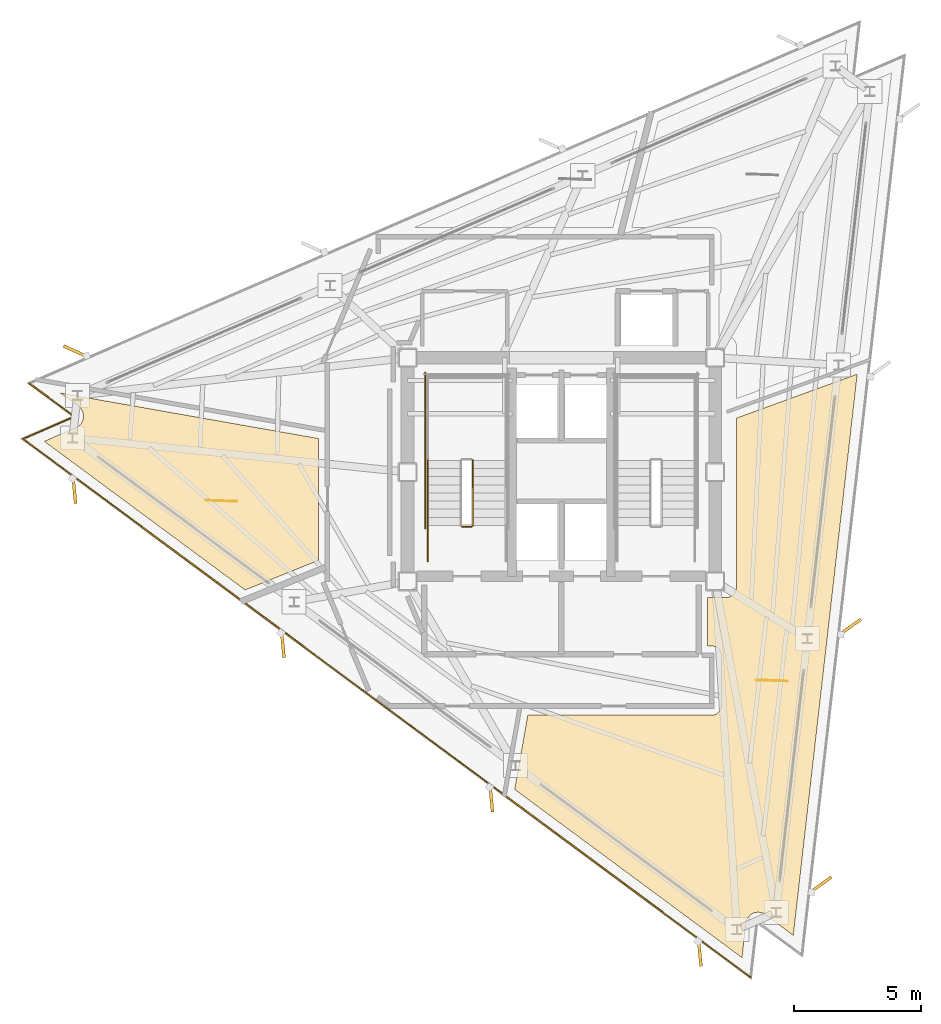
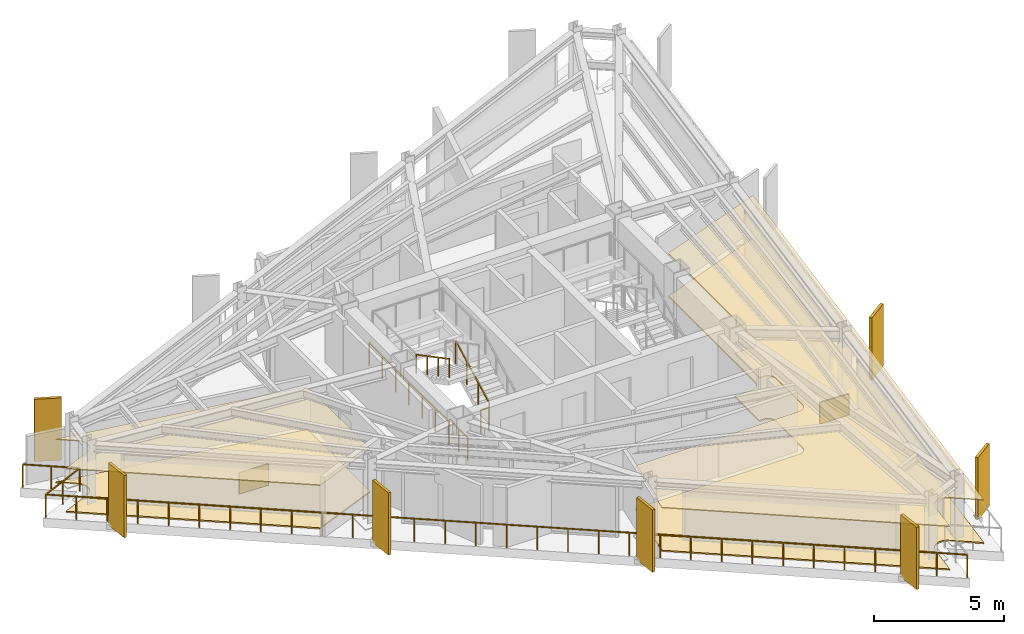
# One storey, part 8 of 10: 7 shading devices, 6 coverings, 6 railings.
"""IFC4 building model written with IfcOpenShell, lengths in metres."""

from ifc_helpers import new_model, si_unit, direction, frame, origin, origin_2d, place, context, subcontext, project, spatial, polyline, rectangle, outline, extrude, material, layer, layer_set, type_object, element, save


model = new_model("IFC4")

# Units and contexts
model_context = context("Model", 3, precision=1e-05, world=origin(), true_north=direction((0.0, 1.0)))
body_context = subcontext(model_context, "Body", "Model", "MODEL_VIEW")
ifc_project = project(units=[si_unit("LENGTHUNIT", "METRE"), si_unit("AREAUNIT", "SQUARE_METRE"), si_unit("VOLUMEUNIT", "CUBIC_METRE"), si_unit("PLANEANGLEUNIT", "RADIAN"), si_unit("MASSUNIT", "GRAM", prefix="KILO")], contexts=[model_context])

# Site, building, storey
site_placement = place(None, origin())
site = spatial("IfcSite", under=ifc_project, at=site_placement, CompositionType="ELEMENT")
building_placement = place(site_placement, origin())
building = spatial("IfcBuilding", under=site, at=building_placement, Name="Rocaltana Carrier Exchange", CompositionType="ELEMENT")
storey_placement = place(building_placement, frame((0.0, 0.0, 214.8798828125)))
storey = spatial("IfcBuildingStorey", under=building, at=storey_placement, Name="L68", CompositionType="ELEMENT", Elevation=214.8798828125)

# Coverings
ifc_material_1 = material(Name="Calcium Sulphate & Aluminium Pedestal", Category="aluminium")
ifc_layer_1 = layer(ifc_material_1, 0.06005859375)
ifc_layer_set_1 = layer_set([ifc_layer_1], Name="Calcium Sulphate & Aluminium Pedestal")
covering_type_1 = type_object("IfcCoveringType", Name="Anti-Static Raised Exchange Access Floor 60", PredefinedType="FLOORING", material=ifc_layer_set_1)
covering_1_placement = place(storey_placement, origin())
element("IfcCovering", 1, at=covering_1_placement, inside=storey, type_object=covering_type_1, Name="L68 Network Engineering Studio Finish Floor", PredefinedType="FLOORING", context=body_context, shape_type="SweptSolid", body=[
    extrude(outline(polyline([(-19.699951171875, 3.108154296875), (-9.56005859375, 1.320068359375), (-9.56005859375, -3.47412109375), (-12.436767578125, -4.636474609375), (-20.337890625, 1.210205078125), (-19.0830078125, 1.755859375), (-19.0703125, 1.76171875), (-19.052490234375, 1.7705078125), (-19.028076171875, 1.7841796875), (-19.010986328125, 1.794921875), (-18.98828125, 1.810791015625), (-18.972412109375, 1.822998046875), (-18.951416015625, 1.841064453125), (-18.936767578125, 1.85498046875), (-18.91748046875, 1.875), (-18.904541015625, 1.89013671875), (-18.887451171875, 1.912109375), (-18.8759765625, 1.928466796875), (-18.861083984375, 1.9521484375), (-18.851318359375, 1.969482421875), (-18.8388671875, 1.994384765625), (-18.830810546875, 2.0126953125), (-18.82080078125, 2.038818359375), (-18.814697265625, 2.057861328125), (-18.8076171875, 2.084716796875), (-18.80322265625, 2.104248046875), (-18.798828125, 2.1318359375), (-18.79638671875, 2.151611328125), (-18.794677734375, 2.179443359375), (-18.79443359375, 2.199462890625), (-18.79541015625, 2.227294921875), (-18.797119140625, 2.2470703125), (-18.801025390625, 2.27490234375), (-18.8046875, 2.29443359375), (-18.811279296875, 2.321533203125), (-18.81689453125, 2.3408203125), (-18.825927734375, 2.366943359375), (-18.83349609375, 2.385498046875), (-18.84521484375, 2.410888671875), (-18.8544921875, 2.428466796875), (-18.86865234375, 2.452392578125), (-18.879638671875, 2.468994140625), (-18.896240234375, 2.49169921875), (-18.908935546875, 2.507080078125), (-18.927490234375, 2.52783203125), (-18.941650390625, 2.5419921875), (-18.96240234375, 2.560546875), (-18.977783203125, 2.5732421875), (-18.98876953125, 2.581787109375), (-19.699951171875, 3.108154296875)])), origin(), (0.0, 0.0, 1.0), 0.06005859375),
])
covering_2_placement = place(storey_placement, origin())
element("IfcCovering", 2, at=covering_2_placement, inside=storey, type_object=covering_type_1, Name="L68 Peering Conference Room Finish Floor", PredefinedType="FLOORING", context=body_context, shape_type="SweptSolid", body=[
    extrude(outline(polyline([(5.739990234375, -6.840087890625), (5.739990234375, -4.93994140625), (6.449951171875, -4.93994140625), (6.463623046875, -4.939697265625), (6.4794921875, -4.93896484375), (6.5068359375, -4.936279296875), (6.522216796875, -4.933837890625), (6.54931640625, -4.928466796875), (6.564453125, -4.9248046875), (6.5908203125, -4.916748046875), (6.605712890625, -4.91162109375), (6.630859375, -4.90087890625), (6.64501953125, -4.894287109375), (6.66943359375, -4.88134765625), (6.682861328125, -4.873291015625), (6.705810546875, -4.85791015625), (6.71826171875, -4.8486328125), (6.739501953125, -4.8310546875), (6.751220703125, -4.820556640625), (6.7705078125, -4.80126953125), (6.781005859375, -4.78955078125), (6.798583984375, -4.768310546875), (6.807861328125, -4.755615234375), (6.8232421875, -4.73291015625), (6.831298828125, -4.719482421875), (6.84423828125, -4.695068359375), (6.850830078125, -4.680908203125), (6.861572265625, -4.655517578125), (6.86669921875, -4.640869140625), (6.874755859375, -4.614501953125), (6.87841796875, -4.59912109375), (6.8837890625, -4.572265625), (6.88623046875, -4.556884765625), (6.888916015625, -4.529296875), (6.8896484375, -4.513671875), (6.889892578125, -4.5), (6.889892578125, 2.124755859375), (11.635498046875, 3.851806640625), (9.12109375, -18.21826171875), (8.020751953125, -17.404052734375), (8.009521484375, -17.39599609375), (7.992919921875, -17.385009765625), (7.96875, -17.370849609375), (7.951171875, -17.361572265625), (7.92578125, -17.349609375), (7.907470703125, -17.342041015625), (7.881103515625, -17.332763671875), (7.862060546875, -17.3271484375), (7.8349609375, -17.320556640625), (7.815185546875, -17.31689453125), (7.78759765625, -17.31298828125), (7.767822265625, -17.311279296875), (7.739990234375, -17.310302734375), (7.719970703125, -17.310302734375), (7.692138671875, -17.31201171875), (7.67236328125, -17.314208984375), (7.644775390625, -17.31884765625), (7.625244140625, -17.322998046875), (7.59814453125, -17.330078125), (7.579345703125, -17.336181640625), (7.552978515625, -17.34619140625), (7.534912109375, -17.35400390625), (7.509765625, -17.366455078125), (7.492431640625, -17.376220703125), (7.46875, -17.39111328125), (7.452392578125, -17.40234375), (7.430419921875, -17.41943359375), (7.415283203125, -17.4326171875), (7.39501953125, -17.45166015625), (7.381103515625, -17.466064453125), (7.363037109375, -17.4873046875), (7.3505859375, -17.5029296875), (7.334716796875, -17.52587890625), (7.32421875, -17.542724609375), (7.310302734375, -17.56689453125), (7.301513671875, -17.5849609375), (7.290283203125, -17.6103515625), (7.283203125, -17.629150390625), (7.274658203125, -17.655517578125), (7.26953125, -17.6748046875), (7.263671875, -17.7021484375), (7.26025390625, -17.7216796875), (7.25830078125, -17.735595703125), (7.103515625, -19.095458984375), (-1.835205078125, -12.481201171875), (-1.320068359375, -9.56005859375), (5.919921875, -9.56005859375), (5.93359375, -9.559814453125), (5.941650390625, -9.559326171875), (5.968994140625, -9.556640625), (5.976806640625, -9.555419921875), (6.003662109375, -9.550048828125), (6.01123046875, -9.548095703125), (6.03759765625, -9.540283203125), (6.044921875, -9.53759765625), (6.0703125, -9.527099609375), (6.077392578125, -9.523681640625), (6.101806640625, -9.5107421875), (6.1083984375, -9.506591796875), (6.131103515625, -9.491455078125), (6.137451171875, -9.48681640625), (6.15869140625, -9.46923828125), (6.16455078125, -9.464111328125), (6.18408203125, -9.444580078125), (6.189208984375, -9.438720703125), (6.206787109375, -9.41748046875), (6.21142578125, -9.4111328125), (6.226806640625, -9.388427734375), (6.230712890625, -9.381591796875), (6.24365234375, -9.357421875), (6.2470703125, -9.350341796875), (6.257568359375, -9.324951171875), (6.26025390625, -9.317626953125), (6.268310546875, -9.291259765625), (6.27001953125, -9.28369140625), (6.275390625, -9.256591796875), (6.276611328125, -9.248779296875), (6.279296875, -9.2216796875), (6.27978515625, -9.213623046875), (6.280029296875, -9.199951171875), (6.280029296875, -7.199951171875), (6.27978515625, -7.186279296875), (6.279296875, -7.178466796875), (6.276611328125, -7.151123046875), (6.275390625, -7.143310546875), (6.27001953125, -7.116455078125), (6.268310546875, -7.108642578125), (6.26025390625, -7.08251953125), (6.257568359375, -7.0751953125), (6.2470703125, -7.0498046875), (6.24365234375, -7.04248046875), (6.230712890625, -7.018310546875), (6.226806640625, -7.01171875), (6.21142578125, -6.98876953125), (6.206787109375, -6.982421875), (6.189208984375, -6.961181640625), (6.18408203125, -6.955322265625), (6.16455078125, -6.93603515625), (6.15869140625, -6.9306640625), (6.137451171875, -6.913330078125), (6.131103515625, -6.90869140625), (6.1083984375, -6.893310546875), (6.101806640625, -6.889404296875), (6.077392578125, -6.876220703125), (6.0703125, -6.873046875), (6.044921875, -6.862548828125), (6.03759765625, -6.85986328125), (6.01123046875, -6.851806640625), (6.003662109375, -6.849853515625), (5.976806640625, -6.844482421875), (5.968994140625, -6.843505859375), (5.941650390625, -6.8408203125), (5.93359375, -6.84033203125), (5.919921875, -6.840087890625), (5.739990234375, -6.840087890625)])), origin(), (0.0, 0.0, 1.0), 0.06005859375),
])
ifc_material_2 = material(Name="Mineral Fibre & Powder-Coated Aluminium", Category="aluminium")
ifc_layer_2 = layer(ifc_material_2, 0.044921875)
ifc_layer_set_2 = layer_set([ifc_layer_2], Name="Mineral Fibre & Powder-Coated Aluminium")
covering_type_2 = type_object("IfcCoveringType", Name="Micro-Perforated Acoustic Ceiling 45", PredefinedType="CEILING", material=ifc_layer_set_2)
covering_3_placement = place(storey_placement, frame((0.0, 0.0, 2.023193359375)))
element("IfcCovering", 3, at=covering_3_placement, inside=storey, type_object=covering_type_2, Name="L68 Network Engineering Studio Acoustic Ceiling", PredefinedType="CEILING", context=body_context, shape_type="SweptSolid", body=[
    extrude(outline(polyline([(-19.699951171875, 3.108154296875), (-9.56005859375, 1.320068359375), (-9.56005859375, -3.47412109375), (-12.436767578125, -4.636474609375), (-20.337890625, 1.210205078125), (-19.0830078125, 1.755859375), (-19.0703125, 1.76171875), (-19.052490234375, 1.7705078125), (-19.028076171875, 1.7841796875), (-19.010986328125, 1.794921875), (-18.98828125, 1.810791015625), (-18.972412109375, 1.822998046875), (-18.951416015625, 1.841064453125), (-18.936767578125, 1.85498046875), (-18.91748046875, 1.875), (-18.904541015625, 1.89013671875), (-18.887451171875, 1.912109375), (-18.8759765625, 1.928466796875), (-18.861083984375, 1.9521484375), (-18.851318359375, 1.969482421875), (-18.8388671875, 1.994384765625), (-18.830810546875, 2.0126953125), (-18.82080078125, 2.038818359375), (-18.814697265625, 2.057861328125), (-18.8076171875, 2.084716796875), (-18.80322265625, 2.104248046875), (-18.798828125, 2.1318359375), (-18.79638671875, 2.151611328125), (-18.794677734375, 2.179443359375), (-18.79443359375, 2.199462890625), (-18.79541015625, 2.227294921875), (-18.797119140625, 2.2470703125), (-18.801025390625, 2.27490234375), (-18.8046875, 2.29443359375), (-18.811279296875, 2.321533203125), (-18.81689453125, 2.3408203125), (-18.825927734375, 2.366943359375), (-18.83349609375, 2.385498046875), (-18.84521484375, 2.410888671875), (-18.8544921875, 2.428466796875), (-18.86865234375, 2.452392578125), (-18.879638671875, 2.468994140625), (-18.896240234375, 2.49169921875), (-18.908935546875, 2.507080078125), (-18.927490234375, 2.52783203125), (-18.941650390625, 2.5419921875), (-18.96240234375, 2.560546875), (-18.977783203125, 2.5732421875), (-18.98876953125, 2.581787109375), (-19.699951171875, 3.108154296875)])), origin(), (0.0, 0.0, 1.0), 0.044921875),
])
covering_4_placement = place(storey_placement, frame((0.0, 0.0, 2.023193359375)))
element("IfcCovering", 4, at=covering_4_placement, inside=storey, type_object=covering_type_2, Name="L68 Peering Conference Room Acoustic Ceiling", PredefinedType="CEILING", context=body_context, shape_type="SweptSolid", body=[
    extrude(outline(polyline([(5.739990234375, -6.840087890625), (5.739990234375, -4.93994140625), (6.449951171875, -4.93994140625), (6.463623046875, -4.939697265625), (6.4794921875, -4.93896484375), (6.5068359375, -4.936279296875), (6.522216796875, -4.933837890625), (6.54931640625, -4.928466796875), (6.564453125, -4.9248046875), (6.5908203125, -4.916748046875), (6.605712890625, -4.91162109375), (6.630859375, -4.90087890625), (6.64501953125, -4.894287109375), (6.66943359375, -4.88134765625), (6.682861328125, -4.873291015625), (6.705810546875, -4.85791015625), (6.71826171875, -4.8486328125), (6.739501953125, -4.8310546875), (6.751220703125, -4.820556640625), (6.7705078125, -4.80126953125), (6.781005859375, -4.78955078125), (6.798583984375, -4.768310546875), (6.807861328125, -4.755615234375), (6.8232421875, -4.73291015625), (6.831298828125, -4.719482421875), (6.84423828125, -4.695068359375), (6.850830078125, -4.680908203125), (6.861572265625, -4.655517578125), (6.86669921875, -4.640869140625), (6.874755859375, -4.614501953125), (6.87841796875, -4.59912109375), (6.8837890625, -4.572265625), (6.88623046875, -4.556884765625), (6.888916015625, -4.529296875), (6.8896484375, -4.513671875), (6.889892578125, -4.5), (6.889892578125, 2.124755859375), (11.635498046875, 3.851806640625), (9.12109375, -18.21826171875), (8.020751953125, -17.404052734375), (8.009521484375, -17.39599609375), (7.992919921875, -17.385009765625), (7.96875, -17.370849609375), (7.951171875, -17.361572265625), (7.92578125, -17.349609375), (7.907470703125, -17.342041015625), (7.881103515625, -17.332763671875), (7.862060546875, -17.3271484375), (7.8349609375, -17.320556640625), (7.815185546875, -17.31689453125), (7.78759765625, -17.31298828125), (7.767822265625, -17.311279296875), (7.739990234375, -17.310302734375), (7.719970703125, -17.310302734375), (7.692138671875, -17.31201171875), (7.67236328125, -17.314208984375), (7.644775390625, -17.31884765625), (7.625244140625, -17.322998046875), (7.59814453125, -17.330078125), (7.579345703125, -17.336181640625), (7.552978515625, -17.34619140625), (7.534912109375, -17.35400390625), (7.509765625, -17.366455078125), (7.492431640625, -17.376220703125), (7.46875, -17.39111328125), (7.452392578125, -17.40234375), (7.430419921875, -17.41943359375), (7.415283203125, -17.4326171875), (7.39501953125, -17.45166015625), (7.381103515625, -17.466064453125), (7.363037109375, -17.4873046875), (7.3505859375, -17.5029296875), (7.334716796875, -17.52587890625), (7.32421875, -17.542724609375), (7.310302734375, -17.56689453125), (7.301513671875, -17.5849609375), (7.290283203125, -17.6103515625), (7.283203125, -17.629150390625), (7.274658203125, -17.655517578125), (7.26953125, -17.6748046875), (7.263671875, -17.7021484375), (7.26025390625, -17.7216796875), (7.25830078125, -17.735595703125), (7.103515625, -19.095458984375), (-1.835205078125, -12.481201171875), (-1.320068359375, -9.56005859375), (5.919921875, -9.56005859375), (5.93359375, -9.559814453125), (5.941650390625, -9.559326171875), (5.968994140625, -9.556640625), (5.976806640625, -9.555419921875), (6.003662109375, -9.550048828125), (6.01123046875, -9.548095703125), (6.03759765625, -9.540283203125), (6.044921875, -9.53759765625), (6.0703125, -9.527099609375), (6.077392578125, -9.523681640625), (6.101806640625, -9.5107421875), (6.1083984375, -9.506591796875), (6.131103515625, -9.491455078125), (6.137451171875, -9.48681640625), (6.15869140625, -9.46923828125), (6.16455078125, -9.464111328125), (6.18408203125, -9.444580078125), (6.189208984375, -9.438720703125), (6.206787109375, -9.41748046875), (6.21142578125, -9.4111328125), (6.226806640625, -9.388427734375), (6.230712890625, -9.381591796875), (6.24365234375, -9.357421875), (6.2470703125, -9.350341796875), (6.257568359375, -9.324951171875), (6.26025390625, -9.317626953125), (6.268310546875, -9.291259765625), (6.27001953125, -9.28369140625), (6.275390625, -9.256591796875), (6.276611328125, -9.248779296875), (6.279296875, -9.2216796875), (6.27978515625, -9.213623046875), (6.280029296875, -9.199951171875), (6.280029296875, -7.199951171875), (6.27978515625, -7.186279296875), (6.279296875, -7.178466796875), (6.276611328125, -7.151123046875), (6.275390625, -7.143310546875), (6.27001953125, -7.116455078125), (6.268310546875, -7.108642578125), (6.26025390625, -7.08251953125), (6.257568359375, -7.0751953125), (6.2470703125, -7.0498046875), (6.24365234375, -7.04248046875), (6.230712890625, -7.018310546875), (6.226806640625, -7.01171875), (6.21142578125, -6.98876953125), (6.206787109375, -6.982421875), (6.189208984375, -6.961181640625), (6.18408203125, -6.955322265625), (6.16455078125, -6.93603515625), (6.15869140625, -6.9306640625), (6.137451171875, -6.913330078125), (6.131103515625, -6.90869140625), (6.1083984375, -6.893310546875), (6.101806640625, -6.889404296875), (6.077392578125, -6.876220703125), (6.0703125, -6.873046875), (6.044921875, -6.862548828125), (6.03759765625, -6.85986328125), (6.01123046875, -6.851806640625), (6.003662109375, -6.849853515625), (5.976806640625, -6.844482421875), (5.968994140625, -6.843505859375), (5.941650390625, -6.8408203125), (5.93359375, -6.84033203125), (5.919921875, -6.840087890625), (5.739990234375, -6.840087890625)])), origin(), (0.0, 0.0, 1.0), 0.044921875),
])

# Railings
ifc_material_3 = material(Name="Brushed Architectural Stainless Tube", Category="steel")
ifc_layer_3 = layer(ifc_material_3, 0.048095703125)
ifc_layer_set_3 = layer_set([ifc_layer_3], Name="Brushed Architectural Stainless Tube")
railing_type_1 = type_object("IfcRailingType", Name="Stair Wall Handrail 920", PredefinedType="HANDRAIL", material=ifc_layer_set_3)
railing_1_placement = place(storey_placement, frame((-5.25, 0.4599609375, 1.68896484375)))
element("IfcRailing", 5, at=railing_1_placement, inside=storey, type_object=railing_type_1, Name="L68 ST-1 stair handrail 2", PredefinedType="HANDRAIL", context=body_context, shape_type="SweptSolid", body=[
    extrude(rectangle(XDim=0.048095703125, YDim=0.048095703125, at=origin_2d()), frame((0.0, 0.0, 0.8759765625), z_axis=(0.0, -0.884394423565, 0.466740295633), x_axis=(1.0, 0.0, 0.0)), (0.0, 0.0, 1.0), 2.894775390625),
    extrude(rectangle(XDim=0.0419921875, YDim=0.0419921875, at=origin_2d()), origin(), (0.0, 0.0, 1.0), 0.851806640625),
    extrude(rectangle(XDim=0.0419921875, YDim=0.0419921875, at=origin_2d()), frame((0.0, -0.853271484375, 0.450439453125)), (0.0, 0.0, 1.0), 0.851806640625),
    extrude(rectangle(XDim=0.0419921875, YDim=0.0419921875, at=origin_2d()), frame((0.0, -1.706787109375, 0.900634765625)), (0.0, 0.0, 1.0), 0.851806640625),
    extrude(rectangle(XDim=0.0419921875, YDim=0.0419921875, at=origin_2d()), frame((0.0, -2.56005859375, 1.35107421875)), (0.0, 0.0, 1.0), 0.851806640625),
])
ifc_material_4 = material(Name="Powder-Coated Aluminium 6063-T6", Category="aluminium")
ifc_layer_4 = layer(ifc_material_4, 0.048095703125)
ifc_layer_set_4 = layer_set([ifc_layer_4], Name="Powder-Coated Aluminium 6063-T6")
railing_type_2 = type_object("IfcRailingType", Name="Stair Well Guardrail 1100", PredefinedType="GUARDRAIL", material=ifc_layer_set_4)
railing_2_placement = place(storey_placement, frame((-3.489990234375, -2.10009765625, 0.1689453125)))
element("IfcRailing", 6, at=railing_2_placement, inside=storey, type_object=railing_type_2, Name="L68 ST-1 stair guard 1", PredefinedType="GUARDRAIL", context=body_context, shape_type="SweptSolid", body=[
    extrude(rectangle(XDim=0.048095703125, YDim=0.048095703125, at=origin_2d()), frame((0.0, 0.0, 1.076171875), z_axis=(0.0, 0.884394423565, 0.466740295633), x_axis=(-1.0, 0.0, 0.0)), (0.0, 0.0, 1.0), 2.894775390625),
    extrude(rectangle(XDim=0.0419921875, YDim=0.0419921875, at=origin_2d()), origin(), (0.0, 0.0, 1.0), 1.052001953125),
    extrude(rectangle(XDim=0.0419921875, YDim=0.0419921875, at=origin_2d()), frame((0.0, 0.853271484375, 0.450439453125)), (0.0, 0.0, 1.0), 1.052001953125),
    extrude(rectangle(XDim=0.0419921875, YDim=0.0419921875, at=origin_2d()), frame((0.0, 1.706787109375, 0.900634765625)), (0.0, 0.0, 1.0), 1.052001953125),
    extrude(rectangle(XDim=0.0419921875, YDim=0.0419921875, at=origin_2d()), frame((0.0, 2.56005859375, 1.35107421875)), (0.0, 0.0, 1.0), 1.052001953125),
])
railing_3_placement = place(storey_placement, frame((-3.5400390625, -2.14990234375, 0.0)))
element("IfcRailing", 7, at=railing_3_placement, inside=storey, type_object=railing_type_2, Name="L68 ST-1 stair guard 7", PredefinedType="GUARDRAIL", context=body_context, shape_type="SweptSolid", body=[
    extrude(rectangle(XDim=0.048095703125, YDim=0.048095703125, at=origin_2d()), frame((0.0, 0.0, 1.076171875), z_axis=(-1.0, 0.0, 0.0), x_axis=(0.0, -1.0, 0.0)), (0.0, 0.0, 1.0), 0.35986328125),
    extrude(rectangle(XDim=0.0419921875, YDim=0.0419921875, at=origin_2d()), origin(), (0.0, 0.0, 1.0), 1.052001953125),
    extrude(rectangle(XDim=0.0419921875, YDim=0.0419921875, at=origin_2d()), frame((-0.35986328125, 0.0, 0.0)), (0.0, 0.0, 1.0), 1.052001953125),
])
railing_4_placement = place(storey_placement, frame((-5.25, -3.5, 0.0)))
element("IfcRailing", 8, at=railing_4_placement, inside=storey, type_object=railing_type_2, Name="L68 ST-1 stair guard 9", PredefinedType="GUARDRAIL", context=body_context, shape_type="SweptSolid", body=[
    extrude(rectangle(XDim=0.048095703125, YDim=0.048095703125, at=origin_2d()), frame((0.0, 0.0, 1.076171875), z_axis=(0.0, 1.0, 0.0), x_axis=(-1.0, 0.0, 0.0)), (0.0, 0.0, 1.0), 1.39990234375),
    extrude(rectangle(XDim=0.0419921875, YDim=0.0419921875, at=origin_2d()), origin(), (0.0, 0.0, 1.0), 1.052001953125),
    extrude(rectangle(XDim=0.0419921875, YDim=0.0419921875, at=origin_2d()), frame((0.0, 0.699951171875, 0.0)), (0.0, 0.0, 1.0), 1.052001953125),
    extrude(rectangle(XDim=0.0419921875, YDim=0.0419921875, at=origin_2d()), frame((0.0, 1.39990234375, 0.0)), (0.0, 0.0, 1.0), 1.052001953125),
])
railing_5_placement = place(storey_placement, frame((-5.35009765625, -2.199951171875, 0.0)))
element("IfcRailing", 9, at=railing_5_placement, inside=storey, type_object=railing_type_2, Name="L68 ST-1 stair guard 11", PredefinedType="GUARDRAIL", context=body_context, shape_type="SweptSolid", body=[
    extrude(rectangle(XDim=0.048095703125, YDim=0.048095703125, at=origin_2d()), frame((0.0, 0.0, 1.076171875), z_axis=(0.0, 1.0, 0.0), x_axis=(-1.0, 0.0, 0.0)), (0.0, 0.0, 1.0), 6.099853515625),
    extrude(rectangle(XDim=0.0419921875, YDim=0.0419921875, at=origin_2d()), origin(), (0.0, 0.0, 1.0), 1.052001953125),
    extrude(rectangle(XDim=0.0419921875, YDim=0.0419921875, at=origin_2d()), frame((0.0, 1.0166015625, 0.0)), (0.0, 0.0, 1.0), 1.052001953125),
    extrude(rectangle(XDim=0.0419921875, YDim=0.0419921875, at=origin_2d()), frame((0.0, 2.033203125, 0.0)), (0.0, 0.0, 1.0), 1.052001953125),
    extrude(rectangle(XDim=0.0419921875, YDim=0.0419921875, at=origin_2d()), frame((0.0, 3.0498046875, 0.0)), (0.0, 0.0, 1.0), 1.052001953125),
    extrude(rectangle(XDim=0.0419921875, YDim=0.0419921875, at=origin_2d()), frame((0.0, 4.066650390625, 0.0)), (0.0, 0.0, 1.0), 1.052001953125),
    extrude(rectangle(XDim=0.0419921875, YDim=0.0419921875, at=origin_2d()), frame((0.0, 5.083251953125, 0.0)), (0.0, 0.0, 1.0), 1.052001953125),
    extrude(rectangle(XDim=0.0419921875, YDim=0.0419921875, at=origin_2d()), frame((0.0, 6.099853515625, 0.0)), (0.0, 0.0, 1.0), 1.052001953125),
])

# Coverings
ifc_material_5 = material(Name="Honed Piedra Muneca Sandstone", Category="masonry")
ifc_layer_5 = layer(ifc_material_5, 0.034912109375)
ifc_layer_set_5 = layer_set([ifc_layer_5], Name="Honed Piedra Muneca Sandstone")
covering_type_3 = type_object("IfcCoveringType", Name="Stone Facade Cladding 35", PredefinedType="CLADDING", material=ifc_layer_set_5)
for number, where, z_axis, x_axis, name in (
    (10, (-13.366455078125, -1.132080078125, 0.0), (0.0, 0.0, 1.0), (-0.999390827019, 0.034899496703, 0.0), "L68 Stone Facade Cladding Panel 1"),
    (11, (8.271240234375, -8.199951171875, 0.0), (0.0, 0.0, 1.0), (-0.999390827019, 0.034899496703, 0.0), "L68 Stone Facade Cladding Panel 4"),
):
    element("IfcCovering", number, at=place(storey_placement, frame(where, z_axis=z_axis, x_axis=x_axis)), inside=storey, type_object=covering_type_3, Name=name, PredefinedType="CLADDING", context=body_context, shape_type="SweptSolid", body=[
        extrude(rectangle(XDim=1.25, YDim=0.034912109375, at=origin_2d()), origin(), (0.0, 0.0, 1.0), 1.050048828125),
    ])

# Shading devices
ifc_material_6 = material(Name="Honed Bogota Sandstone & Concrete C45/55", Category="masonry")
ifc_layer_6 = layer(ifc_material_6, 0.1201171875)
ifc_layer_set_6 = layer_set([ifc_layer_6], Name="Honed Bogota Sandstone & Concrete C45/55")
shading_device_type = type_object("IfcShadingDeviceType", Name="Upper Sandstone Shading Fin 1050x120", PredefinedType="USERDEFINED", material=ifc_layer_set_6)
for number, where, z_axis, x_axis, name in (
    (12, (10.193115234375, -16.233642578125, -0.119873046875), (0.0, 0.0, 1.0), (0.814115518356, 0.580702955711, 0.0), "L68 Sandstone Vertical Fin F1-01"),
    (13, (11.34765625, -6.099365234375, -0.119873046875), (0.0, 0.0, 1.0), (0.814115518356, 0.580702955711, 0.0), "L68 Sandstone Vertical Fin F1-02"),
    (14, (-19.099609375, 4.742431640625, -0.119873046875), (0.0, 0.0, 1.0), (-0.909961270877, 0.414693242656, 0.0), "L68 Sandstone Vertical Fin F2-04"),
    (15, (-19.1552734375, -0.71044921875, -0.119873046875), (0.0, 0.0, 1.0), (0.09584575252, -0.995396198367, 0.0), "L68 Sandstone Vertical Fin F3-01"),
    (16, (-10.955810546875, -6.777587890625, -0.119873046875), (0.0, 0.0, 1.0), (0.09584575252, -0.995396198367, 0.0), "L68 Sandstone Vertical Fin F3-02"),
    (17, (-2.756591796875, -12.844970703125, -0.119873046875), (0.0, 0.0, 1.0), (0.09584575252, -0.995396198367, 0.0), "L68 Sandstone Vertical Fin F3-03"),
    (18, (5.442626953125, -18.912109375, -0.119873046875), (0.0, 0.0, 1.0), (0.09584575252, -0.995396198367, 0.0), "L68 Sandstone Vertical Fin F3-04"),
):
    element("IfcShadingDevice", number, at=place(storey_placement, frame(where, z_axis=z_axis, x_axis=x_axis)), inside=storey, type_object=shading_device_type, Name=name, ObjectType="FIN", PredefinedType="USERDEFINED", context=body_context, shape_type="SweptSolid", body=[
        extrude(rectangle(XDim=1.050048828125, YDim=0.1201171875, at=origin_2d()), origin(), (0.0, 0.0, 1.0), 2.91796875),
    ])

# Railing
ifc_material_7 = material(Name="Powder-Coated Aluminium 6063-T6", Category="aluminium")
ifc_layer_7 = layer(ifc_material_7, 0.06005859375)
ifc_layer_set_7 = layer_set([ifc_layer_7], Name="Powder-Coated Aluminium 6063-T6")
railing_type_3 = type_object("IfcRailingType", Name="Wind-Floor & Terrace Perimeter Guardrail 1100", PredefinedType="GUARDRAIL", material=ifc_layer_set_7)
railing_6_placement = place(storey_placement, frame((7.4384765625, -19.865966796875, 0.0)))
element("IfcRailing", 19, at=railing_6_placement, inside=storey, type_object=railing_type_3, Name="L68 Perimeter Balcony Guardrail 1", PredefinedType="GUARDRAIL", context=body_context, shape_type="SweptSolid", body=[
    extrude(rectangle(XDim=0.048095703125, YDim=0.048095703125, at=origin_2d()), frame((0.0, 0.0, 1.076171875), z_axis=(-0.803856133623, 0.594823769226, 0.0), x_axis=(-0.594823769226, -0.803856133623, 0.0)), (0.0, 0.0, 1.0), 35.59228515625),
    extrude(rectangle(XDim=0.048095703125, YDim=0.048095703125, at=origin_2d()), frame((-28.611083984375, 21.171142578125, 1.076171875), z_axis=(0.917071820503, 0.398722053614, 0.0), x_axis=(-0.398722053614, 0.917071820503, 0.0)), (0.0, 0.0, 1.0), 2.199951171875),
    extrude(rectangle(XDim=0.048095703125, YDim=0.048095703125, at=origin_2d()), frame((-26.593505859375, 22.04833984375, 1.076171875), z_axis=(-0.803871612758, 0.59480284986, 0.0), x_axis=(-0.59480284986, -0.803871612758, 0.0)), (0.0, 0.0, 1.0), 2.199951171875),
    extrude(rectangle(XDim=0.0419921875, YDim=0.0419921875, at=origin_2d()), origin(), (0.0, 0.0, 1.0), 1.052001953125),
    extrude(rectangle(XDim=0.0419921875, YDim=0.0419921875, at=origin_2d()), frame((-0.95361328125, 0.705810546875, 0.0)), (0.0, 0.0, 1.0), 1.052001953125),
    extrude(rectangle(XDim=0.0419921875, YDim=0.0419921875, at=origin_2d()), frame((-1.907470703125, 1.411376953125, 0.0)), (0.0, 0.0, 1.0), 1.052001953125),
    extrude(rectangle(XDim=0.0419921875, YDim=0.0419921875, at=origin_2d()), frame((-2.861083984375, 2.1171875, 0.0)), (0.0, 0.0, 1.0), 1.052001953125),
    extrude(rectangle(XDim=0.0419921875, YDim=0.0419921875, at=origin_2d()), frame((-3.814697265625, 2.82275390625, 0.0)), (0.0, 0.0, 1.0), 1.052001953125),
    extrude(rectangle(XDim=0.0419921875, YDim=0.0419921875, at=origin_2d()), frame((-4.7685546875, 3.528564453125, 0.0)), (0.0, 0.0, 1.0), 1.052001953125),
    extrude(rectangle(XDim=0.0419921875, YDim=0.0419921875, at=origin_2d()), frame((-5.72216796875, 4.234130859375, 0.0)), (0.0, 0.0, 1.0), 1.052001953125),
    extrude(rectangle(XDim=0.0419921875, YDim=0.0419921875, at=origin_2d()), frame((-6.676025390625, 4.93994140625, 0.0)), (0.0, 0.0, 1.0), 1.052001953125),
    extrude(rectangle(XDim=0.0419921875, YDim=0.0419921875, at=origin_2d()), frame((-7.629638671875, 5.645751953125, 0.0)), (0.0, 0.0, 1.0), 1.052001953125),
    extrude(rectangle(XDim=0.0419921875, YDim=0.0419921875, at=origin_2d()), frame((-8.583251953125, 6.351318359375, 0.0)), (0.0, 0.0, 1.0), 1.052001953125),
    extrude(rectangle(XDim=0.0419921875, YDim=0.0419921875, at=origin_2d()), frame((-9.537109375, 7.05712890625, 0.0)), (0.0, 0.0, 1.0), 1.052001953125),
    extrude(rectangle(XDim=0.0419921875, YDim=0.0419921875, at=origin_2d()), frame((-10.49072265625, 7.7626953125, 0.0)), (0.0, 0.0, 1.0), 1.052001953125),
    extrude(rectangle(XDim=0.0419921875, YDim=0.0419921875, at=origin_2d()), frame((-11.4443359375, 8.468505859375, 0.0)), (0.0, 0.0, 1.0), 1.052001953125),
    extrude(rectangle(XDim=0.0419921875, YDim=0.0419921875, at=origin_2d()), frame((-12.398193359375, 9.174072265625, 0.0)), (0.0, 0.0, 1.0), 1.052001953125),
    extrude(rectangle(XDim=0.0419921875, YDim=0.0419921875, at=origin_2d()), frame((-13.351806640625, 9.8798828125, 0.0)), (0.0, 0.0, 1.0), 1.052001953125),
    extrude(rectangle(XDim=0.0419921875, YDim=0.0419921875, at=origin_2d()), frame((-14.3056640625, 10.58544921875, 0.0)), (0.0, 0.0, 1.0), 1.052001953125),
    extrude(rectangle(XDim=0.0419921875, YDim=0.0419921875, at=origin_2d()), frame((-15.25927734375, 11.291259765625, 0.0)), (0.0, 0.0, 1.0), 1.052001953125),
    extrude(rectangle(XDim=0.0419921875, YDim=0.0419921875, at=origin_2d()), frame((-16.212890625, 11.9970703125, 0.0)), (0.0, 0.0, 1.0), 1.052001953125),
    extrude(rectangle(XDim=0.0419921875, YDim=0.0419921875, at=origin_2d()), frame((-17.166748046875, 12.70263671875, 0.0)), (0.0, 0.0, 1.0), 1.052001953125),
    extrude(rectangle(XDim=0.0419921875, YDim=0.0419921875, at=origin_2d()), frame((-18.120361328125, 13.408447265625, 0.0)), (0.0, 0.0, 1.0), 1.052001953125),
    extrude(rectangle(XDim=0.0419921875, YDim=0.0419921875, at=origin_2d()), frame((-19.073974609375, 14.114013671875, 0.0)), (0.0, 0.0, 1.0), 1.052001953125),
    extrude(rectangle(XDim=0.0419921875, YDim=0.0419921875, at=origin_2d()), frame((-20.02783203125, 14.81982421875, 0.0)), (0.0, 0.0, 1.0), 1.052001953125),
    extrude(rectangle(XDim=0.0419921875, YDim=0.0419921875, at=origin_2d()), frame((-20.9814453125, 15.525390625, 0.0)), (0.0, 0.0, 1.0), 1.052001953125),
    extrude(rectangle(XDim=0.0419921875, YDim=0.0419921875, at=origin_2d()), frame((-21.93505859375, 16.231201171875, 0.0)), (0.0, 0.0, 1.0), 1.052001953125),
    extrude(rectangle(XDim=0.0419921875, YDim=0.0419921875, at=origin_2d()), frame((-22.888916015625, 16.93701171875, 0.0)), (0.0, 0.0, 1.0), 1.052001953125),
    extrude(rectangle(XDim=0.0419921875, YDim=0.0419921875, at=origin_2d()), frame((-23.842529296875, 17.642578125, 0.0)), (0.0, 0.0, 1.0), 1.052001953125),
    extrude(rectangle(XDim=0.0419921875, YDim=0.0419921875, at=origin_2d()), frame((-24.79638671875, 18.348388671875, 0.0)), (0.0, 0.0, 1.0), 1.052001953125),
    extrude(rectangle(XDim=0.0419921875, YDim=0.0419921875, at=origin_2d()), frame((-25.75, 19.053955078125, 0.0)), (0.0, 0.0, 1.0), 1.052001953125),
    extrude(rectangle(XDim=0.0419921875, YDim=0.0419921875, at=origin_2d()), frame((-26.70361328125, 19.759765625, 0.0)), (0.0, 0.0, 1.0), 1.052001953125),
    extrude(rectangle(XDim=0.0419921875, YDim=0.0419921875, at=origin_2d()), frame((-27.657470703125, 20.46533203125, 0.0)), (0.0, 0.0, 1.0), 1.052001953125),
    extrude(rectangle(XDim=0.0419921875, YDim=0.0419921875, at=origin_2d()), frame((-28.611083984375, 21.171142578125, 0.0)), (0.0, 0.0, 1.0), 1.052001953125),
    extrude(rectangle(XDim=0.0419921875, YDim=0.0419921875, at=origin_2d()), frame((-27.602294921875, 21.60986328125, 0.0)), (0.0, 0.0, 1.0), 1.052001953125),
    extrude(rectangle(XDim=0.0419921875, YDim=0.0419921875, at=origin_2d()), frame((-26.593505859375, 22.04833984375, 0.0)), (0.0, 0.0, 1.0), 1.052001953125),
    extrude(rectangle(XDim=0.0419921875, YDim=0.0419921875, at=origin_2d()), frame((-27.477783203125, 22.70263671875, 0.0)), (0.0, 0.0, 1.0), 1.052001953125),
    extrude(rectangle(XDim=0.0419921875, YDim=0.0419921875, at=origin_2d()), frame((-28.362060546875, 23.35693359375, 0.0)), (0.0, 0.0, 1.0), 1.052001953125),
])

save(model, "model.ifc")
